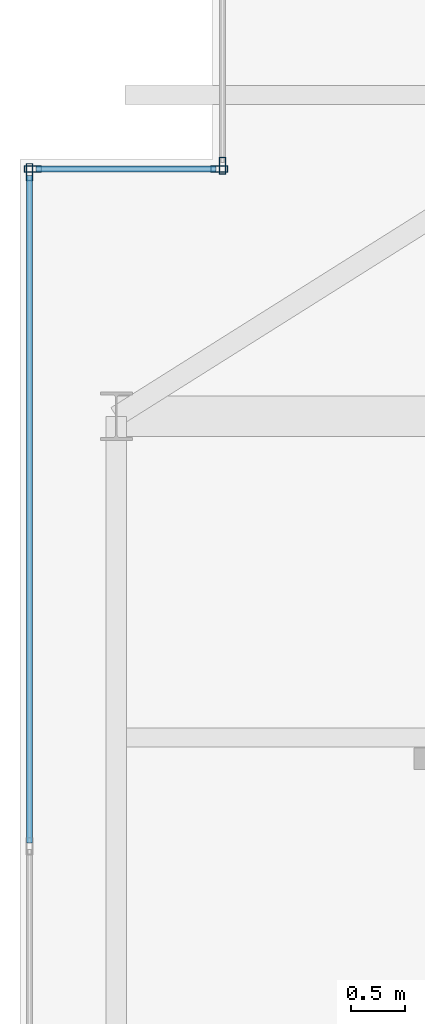
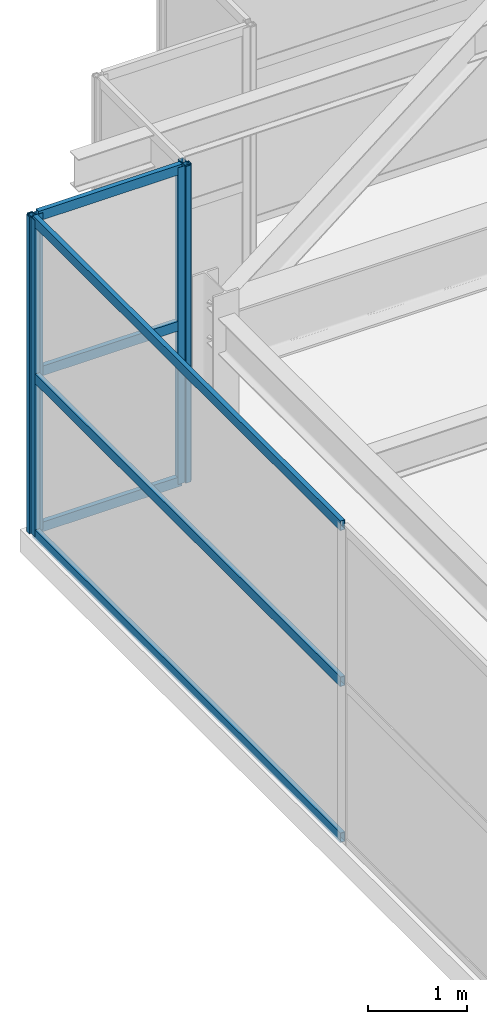
# One storey, part 20 of 32: 10 members, 3 elements without a shape of their own.
"""IFC4 building model written with IfcOpenShell, lengths in metres."""

from ifc_helpers import new_model, si_unit, direction, frame, origin, origin_2d, place, context, subcontext, project, spatial, hollow_rectangle, extrude, source, transform, mapped, material, layer, layer_set, material_profile, profile_set, type_object, element, aggregate, save


model = new_model("IFC4")

# Units and contexts
model_context = context("Model", 3, precision=1e-05, world=origin(), true_north=direction((0.0, 1.0)))
body_context = subcontext(model_context, "Body", "Model", "MODEL_VIEW")
ifc_project = project(units=[si_unit("LENGTHUNIT", "METRE"), si_unit("AREAUNIT", "SQUARE_METRE"), si_unit("VOLUMEUNIT", "CUBIC_METRE"), si_unit("PLANEANGLEUNIT", "RADIAN"), si_unit("MASSUNIT", "GRAM", prefix="KILO")], contexts=[model_context])

# Site, building, storey
site_placement = place(None, origin())
site = spatial("IfcSite", under=ifc_project, at=site_placement, CompositionType="ELEMENT")
building_placement = place(site_placement, origin())
building = spatial("IfcBuilding", under=site, at=building_placement, Name="Khoralis Quay Care Tower", CompositionType="ELEMENT")
storey_placement = place(building_placement, frame((0.0, 0.0, 306.300048828125)))
storey = spatial("IfcBuildingStorey", under=building, at=storey_placement, Name="L80", CompositionType="ELEMENT", Elevation=306.300048828125)

# Curtain wall, members
ifc_material = material(Name="Pale anodised aluminium", Category="aluminium")
ifc_layer = layer(ifc_material, 0.199951171875)
ifc_layer_set = layer_set([ifc_layer], Name="Pale anodised aluminium")
curtain_wall_type = type_object("IfcCurtainWallType", Name="CW-SYS-LANTERN", PredefinedType="NOTDEFINED", material=ifc_layer_set)
curtain_wall_1_placement = place(storey_placement, origin())
curtain_wall_1 = element("IfcCurtainWall", 1, at=curtain_wall_1_placement, inside=storey, type_object=curtain_wall_type, Name="L80 Unitised Curtain Wall CW-LN-L80-16", PredefinedType="NOTDEFINED")
ifc_material_profile_1 = material_profile(ifc_material, hollow_rectangle(XDim=0.054931640625, YDim=0.1201171875, WallThickness=0.00390625, at=origin_2d()), Name="Pale anodised aluminium")
ifc_profile_set_1 = profile_set([ifc_material_profile_1], Name="Pale anodised aluminium")
member_type_1 = type_object("IfcMemberType", Name="CW-TRN-120", PredefinedType="USERDEFINED", material=ifc_profile_set_1)
shared_shape_1 = source(origin(), body_context, "Body", "SweptSolid", [
    extrude(hollow_rectangle(XDim=0.054931640625, YDim=0.1201171875, WallThickness=0.00390625, at=origin_2d()), origin(), (0.0, 0.0, 1.0), 6.23388671875),
])
member_1_placement = place(storey_placement, frame((3.090087890625, 38.25, 0.030029296875), z_axis=(0.0, -1.0, 0.0), x_axis=(1.0, 0.0, 0.0)))
member_1 = element("IfcMember", 2, at=member_1_placement, type_object=member_type_1, Name="CW5 transom 1.1", ObjectType="TRANSOM", PredefinedType="USERDEFINED", context=body_context, shape_type="MappedRepresentation", body=[
    mapped(shared_shape_1, transform((0.0, 0.0, 0.0), scale=1.0)),
])
member_2_placement = place(storey_placement, frame((3.090087890625, 38.25, 1.9599609375), z_axis=(0.0, -1.0, 0.0), x_axis=(1.0, 0.0, 0.0)))
member_2 = element("IfcMember", 3, at=member_2_placement, type_object=member_type_1, Name="CW5 transom 1.2", ObjectType="TRANSOM", PredefinedType="USERDEFINED", context=body_context, shape_type="MappedRepresentation", body=[
    mapped(shared_shape_1, transform((0.0, 0.0, 0.0), scale=1.0)),
])
member_3_placement = place(storey_placement, frame((3.090087890625, 38.25, 3.889892578125), z_axis=(0.0, -1.0, 0.0), x_axis=(1.0, 0.0, 0.0)))
member_3 = element("IfcMember", 4, at=member_3_placement, type_object=member_type_1, Name="CW5 transom 1.3", ObjectType="TRANSOM", PredefinedType="USERDEFINED", context=body_context, shape_type="MappedRepresentation", body=[
    mapped(shared_shape_1, transform((0.0, 0.0, 0.0), scale=1.0)),
])

curtain_wall_2_placement = place(storey_placement, origin())
curtain_wall_2 = element("IfcCurtainWall", 5, at=curtain_wall_2_placement, inside=storey, type_object=curtain_wall_type, Name="L80 Unitised Curtain Wall CW-LN-L80-15", PredefinedType="NOTDEFINED")
shared_shape_2 = source(origin(), body_context, "Body", "SweptSolid", [
    extrude(hollow_rectangle(XDim=0.054931640625, YDim=0.1201171875, WallThickness=0.00390625, at=origin_2d()), origin(), (0.0, 0.0, 1.0), 1.68017578125),
])
member_4_placement = place(storey_placement, frame((4.830078125, 38.31005859375, 0.030029296875), z_axis=(-1.0, 0.0, 0.0), x_axis=(0.0, -1.0, 0.0)))
member_4 = element("IfcMember", 6, at=member_4_placement, type_object=member_type_1, Name="CW5 transom 1.1", ObjectType="TRANSOM", PredefinedType="USERDEFINED", context=body_context, shape_type="MappedRepresentation", body=[
    mapped(shared_shape_2, transform((0.0, 0.0, 0.0), scale=1.0)),
])
member_5_placement = place(storey_placement, frame((4.830078125, 38.31005859375, 1.9599609375), z_axis=(-1.0, 0.0, 0.0), x_axis=(0.0, -1.0, 0.0)))
member_5 = element("IfcMember", 7, at=member_5_placement, type_object=member_type_1, Name="CW5 transom 1.2", ObjectType="TRANSOM", PredefinedType="USERDEFINED", context=body_context, shape_type="MappedRepresentation", body=[
    mapped(shared_shape_2, transform((0.0, 0.0, 0.0), scale=1.0)),
])
member_6_placement = place(storey_placement, frame((4.830078125, 38.31005859375, 3.889892578125), z_axis=(-1.0, 0.0, 0.0), x_axis=(0.0, -1.0, 0.0)))
member_6 = element("IfcMember", 8, at=member_6_placement, type_object=member_type_1, Name="CW5 transom 1.3", ObjectType="TRANSOM", PredefinedType="USERDEFINED", context=body_context, shape_type="MappedRepresentation", body=[
    mapped(shared_shape_2, transform((0.0, 0.0, 0.0), scale=1.0)),
])

# Curtain wall, member
curtain_wall_3_placement = place(storey_placement, origin())
curtain_wall_3 = element("IfcCurtainWall", 9, at=curtain_wall_3_placement, inside=storey, type_object=curtain_wall_type, Name="L80 Unitised Curtain Wall CW-LN-L80-14", PredefinedType="NOTDEFINED")
ifc_material_profile_2 = material_profile(ifc_material, hollow_rectangle(XDim=0.06005859375, YDim=0.159912109375, WallThickness=0.00390625, at=origin_2d()), Name="Pale anodised aluminium")
ifc_profile_set_2 = profile_set([ifc_material_profile_2], Name="Pale anodised aluminium")
member_type_2 = type_object("IfcMemberType", Name="CW-MUL-160", PredefinedType="MULLION", material=ifc_profile_set_2)
shared_shape_3 = source(origin(), body_context, "Body", "SweptSolid", [
    extrude(hollow_rectangle(XDim=0.06005859375, YDim=0.159912109375, WallThickness=0.00390625, at=origin_2d()), origin(), (0.0, 0.0, 1.0), 3.919921875),
])
member_7_placement = place(storey_placement, frame((4.889892578125, 38.340087890625, 0.0), z_axis=(0.0, 0.0, 1.0), x_axis=(1.0, 0.0, 0.0)))
member_7 = element("IfcMember", 10, at=member_7_placement, type_object=member_type_2, Name="CW5 mullion 2", PredefinedType="MULLION", context=body_context, shape_type="MappedRepresentation", body=[
    mapped(shared_shape_3, transform((0.0, 0.0, 0.0), scale=1.0)),
])
aggregate(curtain_wall_3, [member_7])

# Member
member_8_placement = place(storey_placement, frame((4.860107421875, 38.31005859375, 0.0), z_axis=(0.0, 0.0, 1.0), x_axis=(0.0, -1.0, 0.0)))
member_8 = element("IfcMember", 11, at=member_8_placement, type_object=member_type_2, Name="CW5 mullion 1", PredefinedType="MULLION", context=body_context, shape_type="MappedRepresentation", body=[
    mapped(shared_shape_3, transform((0.0, 0.0, 0.0), scale=1.0)),
])

member_9_placement = place(storey_placement, frame((3.1201171875, 38.31005859375, 0.0), z_axis=(0.0, 0.0, 1.0), x_axis=(0.0, -1.0, 0.0)))
member_9 = element("IfcMember", 12, at=member_9_placement, type_object=member_type_2, Name="CW5 mullion 2", PredefinedType="MULLION", context=body_context, shape_type="MappedRepresentation", body=[
    mapped(shared_shape_3, transform((0.0, 0.0, 0.0), scale=1.0)),
])

aggregate(curtain_wall_2, [member_8, member_9, member_4, member_5, member_6])

member_10_placement = place(storey_placement, frame((3.090087890625, 38.280029296875, 0.0), z_axis=(0.0, 0.0, 1.0), x_axis=(1.0, 0.0, 0.0)))
member_10 = element("IfcMember", 13, at=member_10_placement, type_object=member_type_2, Name="CW5 mullion 1", PredefinedType="MULLION", context=body_context, shape_type="MappedRepresentation", body=[
    mapped(shared_shape_3, transform((0.0, 0.0, 0.0), scale=1.0)),
])

aggregate(curtain_wall_1, [member_10, member_1, member_2, member_3])

save(model, "model.ifc")
